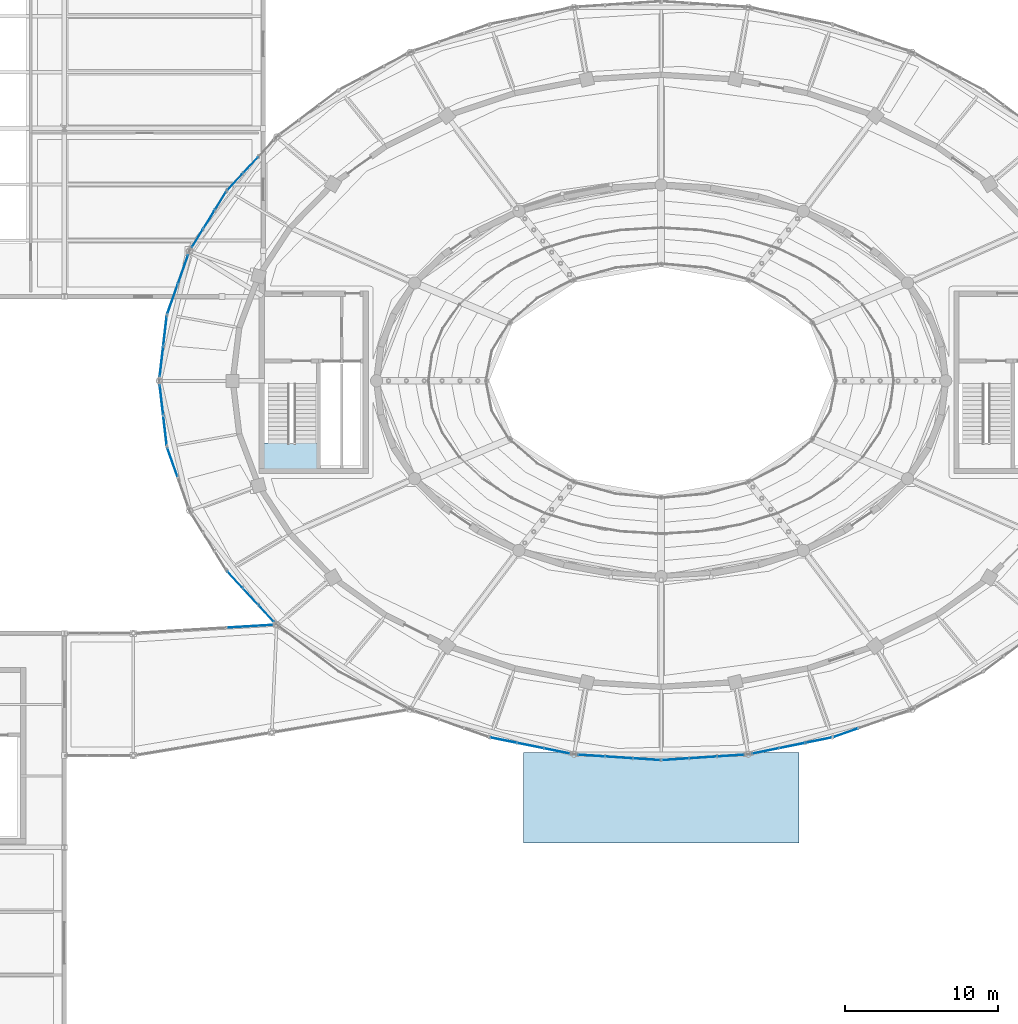
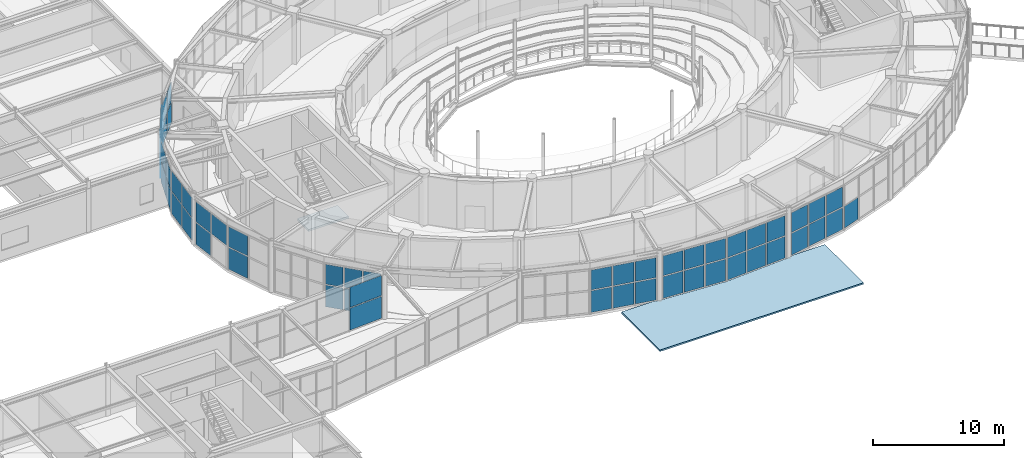
# One storey, part 69 of 100: 56 plates, 2 slabs, 14 elements without a shape of their own.
"""IFC4 building model written with IfcOpenShell, lengths in metres."""

from ifc_helpers import new_model, si_unit, direction, frame, origin, origin_2d, place, context, subcontext, project, spatial, polyline, rectangle, outline, extrude, material, layer, layer_set, type_object, element, aggregate, save


model = new_model("IFC4")

# Units and contexts
model_context = context("Model", 3, precision=1e-05, world=origin(), true_north=direction((0.0, 1.0)))
body_context = subcontext(model_context, "Body", "Model", "MODEL_VIEW")
ifc_project = project(units=[si_unit("LENGTHUNIT", "METRE"), si_unit("AREAUNIT", "SQUARE_METRE"), si_unit("VOLUMEUNIT", "CUBIC_METRE"), si_unit("PLANEANGLEUNIT", "RADIAN"), si_unit("MASSUNIT", "GRAM", prefix="KILO")], contexts=[model_context])

# Site, building, storey
site_placement = place(None, origin())
site = spatial("IfcSite", under=ifc_project, at=site_placement, CompositionType="ELEMENT")
building_placement = place(site_placement, origin())
building = spatial("IfcBuilding", under=site, at=building_placement, Name="Tarnveldt Headland Concert Hall", CompositionType="ELEMENT")
storey_placement = place(building_placement, frame((0.0, 0.0, 4.800048828125)))
storey = spatial("IfcBuildingStorey", under=building, at=storey_placement, Name="L01", CompositionType="ELEMENT", Elevation=4.800048828125)

# Curtain wall, plates
ifc_material_1 = material(Name="Marine-anodised aluminium EN AW-6063-T6", Category="aluminium")
curtain_wall_type_1 = type_object("IfcCurtainWallType", Name="CW-F2", PredefinedType="NOTDEFINED", material=ifc_material_1)
curtain_wall_1_placement = place(storey_placement, origin())
curtain_wall_1 = element("IfcCurtainWall", 1, at=curtain_wall_1_placement, inside=storey, type_object=curtain_wall_type_1, Name="Curtain wall CW-L01-041", PredefinedType="NOTDEFINED")
ifc_material_2 = material(Name="Acoustic laminated low-iron double glazing", Category="glass")
ifc_layer_1 = layer(ifc_material_2, 0.030029296875, Name="Acoustic laminated low-iron double glazing", Category="glass")
ifc_layer_set_1 = layer_set([ifc_layer_1], Name="Acoustic laminated low-iron double glazing")
plate_type_1 = type_object("IfcPlateType", Name="PN-F2", PredefinedType="CURTAIN_PANEL", material=ifc_layer_set_1)
plate_1_placement = place(storey_placement, frame((56.6650390625, 68.595947265625, 0.09228515625), z_axis=(0.0, 0.0, 1.0), x_axis=(-0.67945411016, -0.733718005903, 0.0)))
plate_1 = element("IfcPlate", 2, at=plate_1_placement, type_object=plate_type_1, Name="Glazed panel CW-L01-041-2-1", PredefinedType="CURTAIN_PANEL", context=body_context, shape_type="SweptSolid", body=[
    extrude(rectangle(XDim=1.3955078125, YDim=0.030029296875, at=origin_2d()), origin(), (0.0, 0.0, 1.0), 1.985595703125),
])
plate_2_placement = place(storey_placement, frame((56.6650390625, 68.595947265625, 2.1630859375), z_axis=(0.0, 0.0, 1.0), x_axis=(-0.67945411016, -0.733718005903, 0.0)))
plate_2 = element("IfcPlate", 3, at=plate_2_placement, type_object=plate_type_1, Name="Glazed panel CW-L01-041-2-2", PredefinedType="CURTAIN_PANEL", context=body_context, shape_type="SweptSolid", body=[
    extrude(rectangle(XDim=1.3955078125, YDim=0.030029296875, at=origin_2d()), origin(), (0.0, 0.0, 1.0), 1.822509765625),
])
plate_3_placement = place(storey_placement, frame((55.635986328125, 67.48486328125, 0.09228515625), z_axis=(0.0, 0.0, 1.0), x_axis=(-0.67945411016, -0.733718005903, 0.0)))
plate_3 = element("IfcPlate", 4, at=plate_3_placement, type_object=plate_type_1, Name="Glazed panel CW-L01-041-3-1", PredefinedType="CURTAIN_PANEL", context=body_context, shape_type="SweptSolid", body=[
    extrude(rectangle(XDim=1.3955078125, YDim=0.030029296875, at=origin_2d()), origin(), (0.0, 0.0, 1.0), 1.985595703125),
])
plate_4_placement = place(storey_placement, frame((55.635986328125, 67.48486328125, 2.1630859375), z_axis=(0.0, 0.0, 1.0), x_axis=(-0.67945411016, -0.733718005903, 0.0)))
plate_4 = element("IfcPlate", 5, at=plate_4_placement, type_object=plate_type_1, Name="Glazed panel CW-L01-041-3-2", PredefinedType="CURTAIN_PANEL", context=body_context, shape_type="SweptSolid", body=[
    extrude(rectangle(XDim=1.3955078125, YDim=0.030029296875, at=origin_2d()), origin(), (0.0, 0.0, 1.0), 1.822509765625),
])
aggregate(curtain_wall_1, [plate_1, plate_2, plate_3, plate_4])

curtain_wall_2_placement = place(storey_placement, origin())
curtain_wall_2 = element("IfcCurtainWall", 6, at=curtain_wall_2_placement, inside=storey, type_object=curtain_wall_type_1, Name="Curtain wall CW-L01-042", PredefinedType="NOTDEFINED")
plate_5_placement = place(storey_placement, frame((54.695556640625, 66.253173828125, 0.092529296875), z_axis=(0.0, 0.0, 1.0), x_axis=(-0.524922111703, -0.851150266783, 0.0)))
plate_5 = element("IfcPlate", 7, at=plate_5_placement, type_object=plate_type_1, Name="Glazed panel CW-L01-042-1-1", PredefinedType="CURTAIN_PANEL", context=body_context, shape_type="SweptSolid", body=[
    extrude(rectangle(XDim=1.321044921875, YDim=0.030029296875, at=origin_2d()), origin(), (0.0, 0.0, 1.0), 1.93359375),
])
plate_6_placement = place(storey_placement, frame((54.695556640625, 66.253173828125, 2.111083984375), z_axis=(0.0, 0.0, 1.0), x_axis=(-0.524922111703, -0.851150266783, 0.0)))
plate_6 = element("IfcPlate", 8, at=plate_6_placement, type_object=plate_type_1, Name="Glazed panel CW-L01-042-1-2", PredefinedType="CURTAIN_PANEL", context=body_context, shape_type="SweptSolid", body=[
    extrude(rectangle(XDim=1.321044921875, YDim=0.030029296875, at=origin_2d()), origin(), (0.0, 0.0, 1.0), 1.7744140625),
])
plate_7_placement = place(storey_placement, frame((53.939697265625, 65.027587890625, 0.092529296875), z_axis=(0.0, 0.0, 1.0), x_axis=(-0.524922111703, -0.851150266783, 0.0)))
plate_7 = element("IfcPlate", 9, at=plate_7_placement, type_object=plate_type_1, Name="Glazed panel CW-L01-042-2-1", PredefinedType="CURTAIN_PANEL", context=body_context, shape_type="SweptSolid", body=[
    extrude(rectangle(XDim=1.321044921875, YDim=0.030029296875, at=origin_2d()), origin(), (0.0, 0.0, 1.0), 1.93359375),
])
plate_8_placement = place(storey_placement, frame((53.939697265625, 65.027587890625, 2.111083984375), z_axis=(0.0, 0.0, 1.0), x_axis=(-0.524922111703, -0.851150266783, 0.0)))
plate_8 = element("IfcPlate", 10, at=plate_8_placement, type_object=plate_type_1, Name="Glazed panel CW-L01-042-2-2", PredefinedType="CURTAIN_PANEL", context=body_context, shape_type="SweptSolid", body=[
    extrude(rectangle(XDim=1.321044921875, YDim=0.030029296875, at=origin_2d()), origin(), (0.0, 0.0, 1.0), 1.7744140625),
])
plate_9_placement = place(storey_placement, frame((53.18359375, 63.802001953125, 0.092529296875), z_axis=(0.0, 0.0, 1.0), x_axis=(-0.524922111703, -0.851150266783, 0.0)))
plate_9 = element("IfcPlate", 11, at=plate_9_placement, type_object=plate_type_1, Name="Glazed panel CW-L01-042-3-1", PredefinedType="CURTAIN_PANEL", context=body_context, shape_type="SweptSolid", body=[
    extrude(rectangle(XDim=1.321044921875, YDim=0.030029296875, at=origin_2d()), origin(), (0.0, 0.0, 1.0), 1.93359375),
])
plate_10_placement = place(storey_placement, frame((53.18359375, 63.802001953125, 2.111083984375), z_axis=(0.0, 0.0, 1.0), x_axis=(-0.524922111703, -0.851150266783, 0.0)))
plate_10 = element("IfcPlate", 12, at=plate_10_placement, type_object=plate_type_1, Name="Glazed panel CW-L01-042-3-2", PredefinedType="CURTAIN_PANEL", context=body_context, shape_type="SweptSolid", body=[
    extrude(rectangle(XDim=1.321044921875, YDim=0.030029296875, at=origin_2d()), origin(), (0.0, 0.0, 1.0), 1.7744140625),
])
aggregate(curtain_wall_2, [plate_5, plate_6, plate_7, plate_8, plate_9, plate_10])

curtain_wall_3_placement = place(storey_placement, origin())
curtain_wall_3 = element("IfcCurtainWall", 13, at=curtain_wall_3_placement, inside=storey, type_object=curtain_wall_type_1, Name="Curtain wall CW-L01-043", PredefinedType="NOTDEFINED")
plate_11_placement = place(storey_placement, frame((52.25048828125, 61.775634765625, 0.092529296875), z_axis=(0.0, 0.0, 1.0), x_axis=(-0.334037180034, -0.94255989855, 0.0)))
plate_11 = element("IfcPlate", 14, at=plate_11_placement, type_object=plate_type_1, Name="Glazed panel CW-L01-043-1-1", PredefinedType="CURTAIN_PANEL", context=body_context, shape_type="SweptSolid", body=[
    extrude(rectangle(XDim=1.954345703125, YDim=0.030029296875, at=origin_2d()), origin(), (0.0, 0.0, 1.0), 1.93359375),
])
plate_12_placement = place(storey_placement, frame((52.25048828125, 61.775634765625, 2.111083984375), z_axis=(0.0, 0.0, 1.0), x_axis=(-0.334037180034, -0.94255989855, 0.0)))
plate_12 = element("IfcPlate", 15, at=plate_12_placement, type_object=plate_type_1, Name="Glazed panel CW-L01-043-1-2", PredefinedType="CURTAIN_PANEL", context=body_context, shape_type="SweptSolid", body=[
    extrude(rectangle(XDim=1.954345703125, YDim=0.030029296875, at=origin_2d()), origin(), (0.0, 0.0, 1.0), 1.7744140625),
])
plate_13_placement = place(storey_placement, frame((51.55810546875, 59.8212890625, 0.092529296875), z_axis=(0.0, 0.0, 1.0), x_axis=(-0.334037180034, -0.94255989855, 0.0)))
plate_13 = element("IfcPlate", 16, at=plate_13_placement, type_object=plate_type_1, Name="Glazed panel CW-L01-043-2-1", PredefinedType="CURTAIN_PANEL", context=body_context, shape_type="SweptSolid", body=[
    extrude(rectangle(XDim=1.954345703125, YDim=0.030029296875, at=origin_2d()), origin(), (0.0, 0.0, 1.0), 1.93359375),
])
plate_14_placement = place(storey_placement, frame((51.55810546875, 59.8212890625, 2.111083984375), z_axis=(0.0, 0.0, 1.0), x_axis=(-0.334037180034, -0.94255989855, 0.0)))
plate_14 = element("IfcPlate", 17, at=plate_14_placement, type_object=plate_type_1, Name="Glazed panel CW-L01-043-2-2", PredefinedType="CURTAIN_PANEL", context=body_context, shape_type="SweptSolid", body=[
    extrude(rectangle(XDim=1.954345703125, YDim=0.030029296875, at=origin_2d()), origin(), (0.0, 0.0, 1.0), 1.7744140625),
])
aggregate(curtain_wall_3, [plate_11, plate_12, plate_13, plate_14])

curtain_wall_4_placement = place(storey_placement, origin())
curtain_wall_4 = element("IfcCurtainWall", 18, at=curtain_wall_4_placement, inside=storey, type_object=curtain_wall_type_1, Name="Curtain wall CW-L01-044", PredefinedType="NOTDEFINED")
plate_15_placement = place(storey_placement, frame((51.077392578125, 57.760498046875, 0.09228515625), z_axis=(0.0, 0.0, 1.0), x_axis=(-0.114937150493, -0.9933727656, 0.0)))
plate_15 = element("IfcPlate", 19, at=plate_15_placement, type_object=plate_type_1, Name="Glazed panel CW-L01-044-1-1", PredefinedType="CURTAIN_PANEL", context=body_context, shape_type="SweptSolid", body=[
    extrude(rectangle(XDim=1.906982421875, YDim=0.030029296875, at=origin_2d()), origin(), (0.0, 0.0, 1.0), 2.0283203125),
])
plate_16_placement = place(storey_placement, frame((51.077392578125, 57.760498046875, 2.20556640625), z_axis=(0.0, 0.0, 1.0), x_axis=(-0.114937150493, -0.9933727656, 0.0)))
plate_16 = element("IfcPlate", 20, at=plate_16_placement, type_object=plate_type_1, Name="Glazed panel CW-L01-044-1-2", PredefinedType="CURTAIN_PANEL", context=body_context, shape_type="SweptSolid", body=[
    extrude(rectangle(XDim=1.906982421875, YDim=0.030029296875, at=origin_2d()), origin(), (0.0, 0.0, 1.0), 1.86181640625),
])
plate_17_placement = place(storey_placement, frame((50.844482421875, 55.747802734375, 0.09228515625), z_axis=(0.0, 0.0, 1.0), x_axis=(-0.114937150493, -0.9933727656, 0.0)))
plate_17 = element("IfcPlate", 21, at=plate_17_placement, type_object=plate_type_1, Name="Glazed panel CW-L01-044-2-1", PredefinedType="CURTAIN_PANEL", context=body_context, shape_type="SweptSolid", body=[
    extrude(rectangle(XDim=1.906982421875, YDim=0.030029296875, at=origin_2d()), origin(), (0.0, 0.0, 1.0), 2.0283203125),
])
plate_18_placement = place(storey_placement, frame((50.844482421875, 55.747802734375, 2.20556640625), z_axis=(0.0, 0.0, 1.0), x_axis=(-0.114937150493, -0.9933727656, 0.0)))
plate_18 = element("IfcPlate", 22, at=plate_18_placement, type_object=plate_type_1, Name="Glazed panel CW-L01-044-2-2", PredefinedType="CURTAIN_PANEL", context=body_context, shape_type="SweptSolid", body=[
    extrude(rectangle(XDim=1.906982421875, YDim=0.030029296875, at=origin_2d()), origin(), (0.0, 0.0, 1.0), 1.86181640625),
])
aggregate(curtain_wall_4, [plate_15, plate_16, plate_17, plate_18])

curtain_wall_5_placement = place(storey_placement, origin())
curtain_wall_5 = element("IfcCurtainWall", 23, at=curtain_wall_5_placement, inside=storey, type_object=curtain_wall_type_1, Name="Curtain wall CW-L01-045", PredefinedType="NOTDEFINED")
plate_19_placement = place(storey_placement, frame((50.844482421875, 53.252197265625, 0.09228515625), z_axis=(0.0, 0.0, 1.0), x_axis=(0.114937150493, -0.9933727656, 0.0)))
plate_19 = element("IfcPlate", 24, at=plate_19_placement, type_object=plate_type_1, Name="Glazed panel CW-L01-045-1-1", PredefinedType="CURTAIN_PANEL", context=body_context, shape_type="SweptSolid", body=[
    extrude(rectangle(XDim=1.906982421875, YDim=0.030029296875, at=origin_2d()), origin(), (0.0, 0.0, 1.0), 2.0283203125),
])
plate_20_placement = place(storey_placement, frame((50.844482421875, 53.252197265625, 2.20556640625), z_axis=(0.0, 0.0, 1.0), x_axis=(0.114937150493, -0.9933727656, 0.0)))
plate_20 = element("IfcPlate", 25, at=plate_20_placement, type_object=plate_type_1, Name="Glazed panel CW-L01-045-1-2", PredefinedType="CURTAIN_PANEL", context=body_context, shape_type="SweptSolid", body=[
    extrude(rectangle(XDim=1.906982421875, YDim=0.030029296875, at=origin_2d()), origin(), (0.0, 0.0, 1.0), 1.86181640625),
])
plate_21_placement = place(storey_placement, frame((51.077392578125, 51.239501953125, 2.20556640625), z_axis=(0.0, 0.0, 1.0), x_axis=(0.114937150493, -0.9933727656, 0.0)))
plate_21 = element("IfcPlate", 26, at=plate_21_placement, type_object=plate_type_1, Name="Glazed panel CW-L01-045-2-2", PredefinedType="CURTAIN_PANEL", context=body_context, shape_type="SweptSolid", body=[
    extrude(rectangle(XDim=1.906982421875, YDim=0.030029296875, at=origin_2d()), origin(), (0.0, 0.0, 1.0), 1.86181640625),
])
aggregate(curtain_wall_5, [plate_19, plate_20, plate_21])

curtain_wall_6_placement = place(storey_placement, origin())
curtain_wall_6 = element("IfcCurtainWall", 27, at=curtain_wall_6_placement, inside=storey, type_object=curtain_wall_type_1, Name="Curtain wall CW-L01-046", PredefinedType="NOTDEFINED")
plate_22_placement = place(storey_placement, frame((51.55810546875, 49.1787109375, 0.09228515625), z_axis=(0.0, 0.0, 1.0), x_axis=(0.334037180034, -0.94255989855, 0.0)))
plate_22 = element("IfcPlate", 28, at=plate_22_placement, type_object=plate_type_1, Name="Glazed panel CW-L01-046-1-1", PredefinedType="CURTAIN_PANEL", context=body_context, shape_type="SweptSolid", body=[
    extrude(rectangle(XDim=1.954345703125, YDim=0.030029296875, at=origin_2d()), origin(), (0.0, 0.0, 1.0), 2.0283203125),
])
plate_23_placement = place(storey_placement, frame((51.55810546875, 49.1787109375, 2.20556640625), z_axis=(0.0, 0.0, 1.0), x_axis=(0.334037180034, -0.94255989855, 0.0)))
plate_23 = element("IfcPlate", 29, at=plate_23_placement, type_object=plate_type_1, Name="Glazed panel CW-L01-046-1-2", PredefinedType="CURTAIN_PANEL", context=body_context, shape_type="SweptSolid", body=[
    extrude(rectangle(XDim=1.954345703125, YDim=0.030029296875, at=origin_2d()), origin(), (0.0, 0.0, 1.0), 1.86181640625),
])
aggregate(curtain_wall_6, [plate_22, plate_23])

curtain_wall_7_placement = place(storey_placement, origin())
curtain_wall_7 = element("IfcCurtainWall", 30, at=curtain_wall_7_placement, inside=storey, type_object=curtain_wall_type_1, Name="Curtain wall CW-L01-048", PredefinedType="NOTDEFINED")
plate_24_placement = place(storey_placement, frame((55.635986328125, 41.51513671875, 0.09228515625), z_axis=(0.0, 0.0, 1.0), x_axis=(0.67945411016, -0.733718005903, 0.0)))
plate_24 = element("IfcPlate", 31, at=plate_24_placement, type_object=plate_type_1, Name="Glazed panel CW-L01-048-1-1", PredefinedType="CURTAIN_PANEL", context=body_context, shape_type="SweptSolid", body=[
    extrude(rectangle(XDim=1.3955078125, YDim=0.030029296875, at=origin_2d()), origin(), (0.0, 0.0, 1.0), 2.0283203125),
])
plate_25_placement = place(storey_placement, frame((55.635986328125, 41.51513671875, 2.20556640625), z_axis=(0.0, 0.0, 1.0), x_axis=(0.67945411016, -0.733718005903, 0.0)))
plate_25 = element("IfcPlate", 32, at=plate_25_placement, type_object=plate_type_1, Name="Glazed panel CW-L01-048-1-2", PredefinedType="CURTAIN_PANEL", context=body_context, shape_type="SweptSolid", body=[
    extrude(rectangle(XDim=1.3955078125, YDim=0.030029296875, at=origin_2d()), origin(), (0.0, 0.0, 1.0), 1.86181640625),
])
plate_26_placement = place(storey_placement, frame((56.6650390625, 40.404052734375, 0.09228515625), z_axis=(0.0, 0.0, 1.0), x_axis=(0.67945411016, -0.733718005903, 0.0)))
plate_26 = element("IfcPlate", 33, at=plate_26_placement, type_object=plate_type_1, Name="Glazed panel CW-L01-048-2-1", PredefinedType="CURTAIN_PANEL", context=body_context, shape_type="SweptSolid", body=[
    extrude(rectangle(XDim=1.3955078125, YDim=0.030029296875, at=origin_2d()), origin(), (0.0, 0.0, 1.0), 2.0283203125),
])
plate_27_placement = place(storey_placement, frame((56.6650390625, 40.404052734375, 2.20556640625), z_axis=(0.0, 0.0, 1.0), x_axis=(0.67945411016, -0.733718005903, 0.0)))
plate_27 = element("IfcPlate", 34, at=plate_27_placement, type_object=plate_type_1, Name="Glazed panel CW-L01-048-2-2", PredefinedType="CURTAIN_PANEL", context=body_context, shape_type="SweptSolid", body=[
    extrude(rectangle(XDim=1.3955078125, YDim=0.030029296875, at=origin_2d()), origin(), (0.0, 0.0, 1.0), 1.86181640625),
])
plate_28_placement = place(storey_placement, frame((57.694091796875, 39.29296875, 0.09228515625), z_axis=(0.0, 0.0, 1.0), x_axis=(0.67945411016, -0.733718005903, 0.0)))
plate_28 = element("IfcPlate", 35, at=plate_28_placement, type_object=plate_type_1, Name="Glazed panel CW-L01-048-3-1", PredefinedType="CURTAIN_PANEL", context=body_context, shape_type="SweptSolid", body=[
    extrude(rectangle(XDim=1.3955078125, YDim=0.030029296875, at=origin_2d()), origin(), (0.0, 0.0, 1.0), 2.0283203125),
])
plate_29_placement = place(storey_placement, frame((57.694091796875, 39.29296875, 2.20556640625), z_axis=(0.0, 0.0, 1.0), x_axis=(0.67945411016, -0.733718005903, 0.0)))
plate_29 = element("IfcPlate", 36, at=plate_29_placement, type_object=plate_type_1, Name="Glazed panel CW-L01-048-3-2", PredefinedType="CURTAIN_PANEL", context=body_context, shape_type="SweptSolid", body=[
    extrude(rectangle(XDim=1.3955078125, YDim=0.030029296875, at=origin_2d()), origin(), (0.0, 0.0, 1.0), 1.86181640625),
])
aggregate(curtain_wall_7, [plate_24, plate_25, plate_26, plate_27, plate_28, plate_29])

curtain_wall_8_placement = place(storey_placement, origin())
curtain_wall_8 = element("IfcCurtainWall", 37, at=curtain_wall_8_placement, inside=storey, type_object=curtain_wall_type_1, Name="Curtain wall CW-L01-050", PredefinedType="NOTDEFINED")
plate_30_placement = place(storey_placement, frame((73.195068359375, 31.010498046875, 0.09228515625), z_axis=(0.0, 0.0, 1.0), x_axis=(0.98008791737, -0.198564030542, 0.0)))
plate_30 = element("IfcPlate", 38, at=plate_30_placement, type_object=plate_type_1, Name="Glazed panel CW-L01-050-1-1", PredefinedType="CURTAIN_PANEL", context=body_context, shape_type="SweptSolid", body=[
    extrude(rectangle(XDim=1.664794921875, YDim=0.030029296875, at=origin_2d()), origin(), (0.0, 0.0, 1.0), 2.0283203125),
])
plate_31_placement = place(storey_placement, frame((73.195068359375, 31.010498046875, 2.20556640625), z_axis=(0.0, 0.0, 1.0), x_axis=(0.98008791737, -0.198564030542, 0.0)))
plate_31 = element("IfcPlate", 39, at=plate_31_placement, type_object=plate_type_1, Name="Glazed panel CW-L01-050-1-2", PredefinedType="CURTAIN_PANEL", context=body_context, shape_type="SweptSolid", body=[
    extrude(rectangle(XDim=1.664794921875, YDim=0.030029296875, at=origin_2d()), origin(), (0.0, 0.0, 1.0), 1.86181640625),
])
plate_32_placement = place(storey_placement, frame((74.943359375, 30.656494140625, 0.09228515625), z_axis=(0.0, 0.0, 1.0), x_axis=(0.98008791737, -0.198564030542, 0.0)))
plate_32 = element("IfcPlate", 40, at=plate_32_placement, type_object=plate_type_1, Name="Glazed panel CW-L01-050-2-1", PredefinedType="CURTAIN_PANEL", context=body_context, shape_type="SweptSolid", body=[
    extrude(rectangle(XDim=1.664794921875, YDim=0.030029296875, at=origin_2d()), origin(), (0.0, 0.0, 1.0), 2.0283203125),
])
plate_33_placement = place(storey_placement, frame((74.943359375, 30.656494140625, 2.20556640625), z_axis=(0.0, 0.0, 1.0), x_axis=(0.98008791737, -0.198564030542, 0.0)))
plate_33 = element("IfcPlate", 41, at=plate_33_placement, type_object=plate_type_1, Name="Glazed panel CW-L01-050-2-2", PredefinedType="CURTAIN_PANEL", context=body_context, shape_type="SweptSolid", body=[
    extrude(rectangle(XDim=1.664794921875, YDim=0.030029296875, at=origin_2d()), origin(), (0.0, 0.0, 1.0), 1.86181640625),
])
plate_34_placement = place(storey_placement, frame((76.691650390625, 30.30224609375, 0.09228515625), z_axis=(0.0, 0.0, 1.0), x_axis=(0.98008791737, -0.198564030542, 0.0)))
plate_34 = element("IfcPlate", 42, at=plate_34_placement, type_object=plate_type_1, Name="Glazed panel CW-L01-050-3-1", PredefinedType="CURTAIN_PANEL", context=body_context, shape_type="SweptSolid", body=[
    extrude(rectangle(XDim=1.664794921875, YDim=0.030029296875, at=origin_2d()), origin(), (0.0, 0.0, 1.0), 2.0283203125),
])
plate_35_placement = place(storey_placement, frame((76.691650390625, 30.30224609375, 2.20556640625), z_axis=(0.0, 0.0, 1.0), x_axis=(0.98008791737, -0.198564030542, 0.0)))
plate_35 = element("IfcPlate", 43, at=plate_35_placement, type_object=plate_type_1, Name="Glazed panel CW-L01-050-3-2", PredefinedType="CURTAIN_PANEL", context=body_context, shape_type="SweptSolid", body=[
    extrude(rectangle(XDim=1.664794921875, YDim=0.030029296875, at=origin_2d()), origin(), (0.0, 0.0, 1.0), 1.86181640625),
])
aggregate(curtain_wall_8, [plate_30, plate_31, plate_32, plate_33, plate_34, plate_35])

curtain_wall_9_placement = place(storey_placement, origin())
curtain_wall_9 = element("IfcCurtainWall", 44, at=curtain_wall_9_placement, inside=storey, type_object=curtain_wall_type_1, Name="Curtain wall CW-L01-051", PredefinedType="NOTDEFINED")
plate_36_placement = place(storey_placement, frame((78.94921875, 30.0009765625, 0.09228515625), z_axis=(0.0, 0.0, 1.0), x_axis=(0.997818784564, -0.066012674318, 0.0)))
plate_36 = element("IfcPlate", 45, at=plate_36_placement, type_object=plate_type_1, Name="Glazed panel CW-L01-051-1-1", PredefinedType="CURTAIN_PANEL", context=body_context, shape_type="SweptSolid", body=[
    extrude(rectangle(XDim=1.689208984375, YDim=0.030029296875, at=origin_2d()), origin(), (0.0, 0.0, 1.0), 2.0283203125),
])
plate_37_placement = place(storey_placement, frame((78.94921875, 30.0009765625, 2.20556640625), z_axis=(0.0, 0.0, 1.0), x_axis=(0.997818784564, -0.066012674318, 0.0)))
plate_37 = element("IfcPlate", 46, at=plate_37_placement, type_object=plate_type_1, Name="Glazed panel CW-L01-051-1-2", PredefinedType="CURTAIN_PANEL", context=body_context, shape_type="SweptSolid", body=[
    extrude(rectangle(XDim=1.689208984375, YDim=0.030029296875, at=origin_2d()), origin(), (0.0, 0.0, 1.0), 1.86181640625),
])
plate_38_placement = place(storey_placement, frame((80.75341796875, 29.881591796875, 0.09228515625), z_axis=(0.0, 0.0, 1.0), x_axis=(0.997818784564, -0.066012674318, 0.0)))
plate_38 = element("IfcPlate", 47, at=plate_38_placement, type_object=plate_type_1, Name="Glazed panel CW-L01-051-2-1", PredefinedType="CURTAIN_PANEL", context=body_context, shape_type="SweptSolid", body=[
    extrude(rectangle(XDim=1.689208984375, YDim=0.030029296875, at=origin_2d()), origin(), (0.0, 0.0, 1.0), 2.0283203125),
])
plate_39_placement = place(storey_placement, frame((80.75341796875, 29.881591796875, 2.20556640625), z_axis=(0.0, 0.0, 1.0), x_axis=(0.997818784564, -0.066012674318, 0.0)))
plate_39 = element("IfcPlate", 48, at=plate_39_placement, type_object=plate_type_1, Name="Glazed panel CW-L01-051-2-2", PredefinedType="CURTAIN_PANEL", context=body_context, shape_type="SweptSolid", body=[
    extrude(rectangle(XDim=1.689208984375, YDim=0.030029296875, at=origin_2d()), origin(), (0.0, 0.0, 1.0), 1.86181640625),
])
plate_40_placement = place(storey_placement, frame((82.557861328125, 29.76220703125, 0.09228515625), z_axis=(0.0, 0.0, 1.0), x_axis=(0.997818784564, -0.066012674318, 0.0)))
plate_40 = element("IfcPlate", 49, at=plate_40_placement, type_object=plate_type_1, Name="Glazed panel CW-L01-051-3-1", PredefinedType="CURTAIN_PANEL", context=body_context, shape_type="SweptSolid", body=[
    extrude(rectangle(XDim=1.689208984375, YDim=0.030029296875, at=origin_2d()), origin(), (0.0, 0.0, 1.0), 2.0283203125),
])
plate_41_placement = place(storey_placement, frame((82.557861328125, 29.76220703125, 2.20556640625), z_axis=(0.0, 0.0, 1.0), x_axis=(0.997818784564, -0.066012674318, 0.0)))
plate_41 = element("IfcPlate", 50, at=plate_41_placement, type_object=plate_type_1, Name="Glazed panel CW-L01-051-3-2", PredefinedType="CURTAIN_PANEL", context=body_context, shape_type="SweptSolid", body=[
    extrude(rectangle(XDim=1.689208984375, YDim=0.030029296875, at=origin_2d()), origin(), (0.0, 0.0, 1.0), 1.86181640625),
])
aggregate(curtain_wall_9, [plate_36, plate_37, plate_38, plate_39, plate_40, plate_41])

curtain_wall_10_placement = place(storey_placement, origin())
curtain_wall_10 = element("IfcCurtainWall", 51, at=curtain_wall_10_placement, inside=storey, type_object=curtain_wall_type_1, Name="Curtain wall CW-L01-052", PredefinedType="NOTDEFINED")
plate_42_placement = place(storey_placement, frame((84.442138671875, 29.76220703125, 0.09228515625), z_axis=(0.0, 0.0, 1.0), x_axis=(0.997818784564, 0.066012674318, 0.0)))
plate_42 = element("IfcPlate", 52, at=plate_42_placement, type_object=plate_type_1, Name="Glazed panel CW-L01-052-1-1", PredefinedType="CURTAIN_PANEL", context=body_context, shape_type="SweptSolid", body=[
    extrude(rectangle(XDim=1.689208984375, YDim=0.030029296875, at=origin_2d()), origin(), (0.0, 0.0, 1.0), 2.0283203125),
])
plate_43_placement = place(storey_placement, frame((84.442138671875, 29.76220703125, 2.20556640625), z_axis=(0.0, 0.0, 1.0), x_axis=(0.997818784564, 0.066012674318, 0.0)))
plate_43 = element("IfcPlate", 53, at=plate_43_placement, type_object=plate_type_1, Name="Glazed panel CW-L01-052-1-2", PredefinedType="CURTAIN_PANEL", context=body_context, shape_type="SweptSolid", body=[
    extrude(rectangle(XDim=1.689208984375, YDim=0.030029296875, at=origin_2d()), origin(), (0.0, 0.0, 1.0), 1.86181640625),
])
plate_44_placement = place(storey_placement, frame((86.24658203125, 29.881591796875, 0.09228515625), z_axis=(0.0, 0.0, 1.0), x_axis=(0.997818784564, 0.066012674318, 0.0)))
plate_44 = element("IfcPlate", 54, at=plate_44_placement, type_object=plate_type_1, Name="Glazed panel CW-L01-052-2-1", PredefinedType="CURTAIN_PANEL", context=body_context, shape_type="SweptSolid", body=[
    extrude(rectangle(XDim=1.689208984375, YDim=0.030029296875, at=origin_2d()), origin(), (0.0, 0.0, 1.0), 2.0283203125),
])
plate_45_placement = place(storey_placement, frame((86.24658203125, 29.881591796875, 2.20556640625), z_axis=(0.0, 0.0, 1.0), x_axis=(0.997818784564, 0.066012674318, 0.0)))
plate_45 = element("IfcPlate", 55, at=plate_45_placement, type_object=plate_type_1, Name="Glazed panel CW-L01-052-2-2", PredefinedType="CURTAIN_PANEL", context=body_context, shape_type="SweptSolid", body=[
    extrude(rectangle(XDim=1.689208984375, YDim=0.030029296875, at=origin_2d()), origin(), (0.0, 0.0, 1.0), 1.86181640625),
])
plate_46_placement = place(storey_placement, frame((88.05078125, 30.0009765625, 0.09228515625), z_axis=(0.0, 0.0, 1.0), x_axis=(0.997818784564, 0.066012674318, 0.0)))
plate_46 = element("IfcPlate", 56, at=plate_46_placement, type_object=plate_type_1, Name="Glazed panel CW-L01-052-3-1", PredefinedType="CURTAIN_PANEL", context=body_context, shape_type="SweptSolid", body=[
    extrude(rectangle(XDim=1.689208984375, YDim=0.030029296875, at=origin_2d()), origin(), (0.0, 0.0, 1.0), 2.0283203125),
])
plate_47_placement = place(storey_placement, frame((88.05078125, 30.0009765625, 2.20556640625), z_axis=(0.0, 0.0, 1.0), x_axis=(0.997818784564, 0.066012674318, 0.0)))
plate_47 = element("IfcPlate", 57, at=plate_47_placement, type_object=plate_type_1, Name="Glazed panel CW-L01-052-3-2", PredefinedType="CURTAIN_PANEL", context=body_context, shape_type="SweptSolid", body=[
    extrude(rectangle(XDim=1.689208984375, YDim=0.030029296875, at=origin_2d()), origin(), (0.0, 0.0, 1.0), 1.86181640625),
])
aggregate(curtain_wall_10, [plate_42, plate_43, plate_44, plate_45, plate_46, plate_47])

curtain_wall_11_placement = place(storey_placement, origin())
curtain_wall_11 = element("IfcCurtainWall", 58, at=curtain_wall_11_placement, inside=storey, type_object=curtain_wall_type_1, Name="Curtain wall CW-L01-053", PredefinedType="NOTDEFINED")
plate_48_placement = place(storey_placement, frame((90.308349609375, 30.30224609375, 0.09228515625), z_axis=(0.0, 0.0, 1.0), x_axis=(0.98008791737, 0.198564030542, 0.0)))
plate_48 = element("IfcPlate", 59, at=plate_48_placement, type_object=plate_type_1, Name="Glazed panel CW-L01-053-1-1", PredefinedType="CURTAIN_PANEL", context=body_context, shape_type="SweptSolid", body=[
    extrude(rectangle(XDim=1.664794921875, YDim=0.030029296875, at=origin_2d()), origin(), (0.0, 0.0, 1.0), 2.0283203125),
])
plate_49_placement = place(storey_placement, frame((90.308349609375, 30.30224609375, 2.20556640625), z_axis=(0.0, 0.0, 1.0), x_axis=(0.98008791737, 0.198564030542, 0.0)))
plate_49 = element("IfcPlate", 60, at=plate_49_placement, type_object=plate_type_1, Name="Glazed panel CW-L01-053-1-2", PredefinedType="CURTAIN_PANEL", context=body_context, shape_type="SweptSolid", body=[
    extrude(rectangle(XDim=1.664794921875, YDim=0.030029296875, at=origin_2d()), origin(), (0.0, 0.0, 1.0), 1.86181640625),
])
plate_50_placement = place(storey_placement, frame((92.056640625, 30.656494140625, 0.09228515625), z_axis=(0.0, 0.0, 1.0), x_axis=(0.98008791737, 0.198564030542, 0.0)))
plate_50 = element("IfcPlate", 61, at=plate_50_placement, type_object=plate_type_1, Name="Glazed panel CW-L01-053-2-1", PredefinedType="CURTAIN_PANEL", context=body_context, shape_type="SweptSolid", body=[
    extrude(rectangle(XDim=1.664794921875, YDim=0.030029296875, at=origin_2d()), origin(), (0.0, 0.0, 1.0), 2.0283203125),
])
plate_51_placement = place(storey_placement, frame((92.056640625, 30.656494140625, 2.20556640625), z_axis=(0.0, 0.0, 1.0), x_axis=(0.98008791737, 0.198564030542, 0.0)))
plate_51 = element("IfcPlate", 62, at=plate_51_placement, type_object=plate_type_1, Name="Glazed panel CW-L01-053-2-2", PredefinedType="CURTAIN_PANEL", context=body_context, shape_type="SweptSolid", body=[
    extrude(rectangle(XDim=1.664794921875, YDim=0.030029296875, at=origin_2d()), origin(), (0.0, 0.0, 1.0), 1.86181640625),
])
plate_52_placement = place(storey_placement, frame((93.804931640625, 31.010498046875, 0.09228515625), z_axis=(0.0, 0.0, 1.0), x_axis=(0.98008791737, 0.198564030542, 0.0)))
plate_52 = element("IfcPlate", 63, at=plate_52_placement, type_object=plate_type_1, Name="Glazed panel CW-L01-053-3-1", PredefinedType="CURTAIN_PANEL", context=body_context, shape_type="SweptSolid", body=[
    extrude(rectangle(XDim=1.664794921875, YDim=0.030029296875, at=origin_2d()), origin(), (0.0, 0.0, 1.0), 2.0283203125),
])
plate_53_placement = place(storey_placement, frame((93.804931640625, 31.010498046875, 2.20556640625), z_axis=(0.0, 0.0, 1.0), x_axis=(0.98008791737, 0.198564030542, 0.0)))
plate_53 = element("IfcPlate", 64, at=plate_53_placement, type_object=plate_type_1, Name="Glazed panel CW-L01-053-3-2", PredefinedType="CURTAIN_PANEL", context=body_context, shape_type="SweptSolid", body=[
    extrude(rectangle(XDim=1.664794921875, YDim=0.030029296875, at=origin_2d()), origin(), (0.0, 0.0, 1.0), 1.86181640625),
])
aggregate(curtain_wall_11, [plate_48, plate_49, plate_50, plate_51, plate_52, plate_53])

# Curtain wall, plate
curtain_wall_12_placement = place(storey_placement, origin())
curtain_wall_12 = element("IfcCurtainWall", 65, at=curtain_wall_12_placement, inside=storey, type_object=curtain_wall_type_1, Name="Curtain wall CW-L01-054", PredefinedType="NOTDEFINED")
plate_54_placement = place(storey_placement, frame((95.5751953125, 31.497802734375, 0.09228515625), z_axis=(0.0, 0.0, 1.0), x_axis=(0.9430950477, 0.33252327889, 0.0)))
plate_54 = element("IfcPlate", 66, at=plate_54_placement, type_object=plate_type_1, Name="Glazed panel CW-L01-054-1-1", PredefinedType="CURTAIN_PANEL", context=body_context, shape_type="SweptSolid", body=[
    extrude(rectangle(XDim=1.617919921875, YDim=0.030029296875, at=origin_2d()), origin(), (0.0, 0.0, 1.0), 2.0283203125),
])
aggregate(curtain_wall_12, [plate_54])

# Curtain wall, plates
curtain_wall_type_2 = type_object("IfcCurtainWallType", Name="CW-L2", PredefinedType="NOTDEFINED", material=ifc_material_1)
curtain_wall_13_placement = place(storey_placement, origin())
curtain_wall_13 = element("IfcCurtainWall", 67, at=curtain_wall_13_placement, inside=storey, type_object=curtain_wall_type_2, Name="Curtain wall CW-L01-176", PredefinedType="NOTDEFINED")
ifc_layer_2 = layer(ifc_material_2, 0.02294921875, Name="Acoustic laminated low-iron double glazing", Category="glass")
ifc_layer_set_2 = layer_set([ifc_layer_2], Name="Acoustic laminated low-iron double glazing")
plate_type_2 = type_object("IfcPlateType", Name="PN-L2", PredefinedType="CURTAIN_PANEL", material=ifc_layer_set_2)
plate_55_placement = place(storey_placement, frame((56.638427734375, 38.455322265625, 0.090087890625), z_axis=(0.0, 0.0, 1.0), x_axis=(0.998227384932, 0.059515443134, 0.0)))
plate_55 = element("IfcPlate", 68, at=plate_55_placement, type_object=plate_type_2, Name="Glazed panel CW-L01-176-3-1", PredefinedType="CURTAIN_PANEL", context=body_context, shape_type="SweptSolid", body=[
    extrude(rectangle(XDim=2.88623046875, YDim=0.02294921875, at=origin_2d()), origin(), (0.0, 0.0, 1.0), 2.05029296875),
])
plate_56_placement = place(storey_placement, frame((56.638427734375, 38.455322265625, 2.22021484375), z_axis=(0.0, 0.0, 1.0), x_axis=(0.998227384932, 0.059515443134, 0.0)))
plate_56 = element("IfcPlate", 69, at=plate_56_placement, type_object=plate_type_2, Name="Glazed panel CW-L01-176-3-2", PredefinedType="CURTAIN_PANEL", context=body_context, shape_type="SweptSolid", body=[
    extrude(rectangle(XDim=2.88623046875, YDim=0.02294921875, at=origin_2d()), origin(), (0.0, 0.0, 1.0), 1.882568359375),
])
aggregate(curtain_wall_13, [plate_55, plate_56])

# Slab
ifc_material_3 = material(Name="Concrete C40/50", Category="concrete")
ifc_layer_3 = layer(ifc_material_3, 0.14501953125, Name="Concrete C40/50", Category="concrete")
ifc_layer_set_3 = layer_set([ifc_layer_3], Name="Concrete C40/50")
slab_type_1 = type_object("IfcSlabType", Name="SL-CN145", PredefinedType="ROOF", material=ifc_layer_set_3)
slab_1_placement = place(storey_placement, frame((0.0, 0.0, -0.14501953125)))
element("IfcSlab", 70, at=slab_1_placement, inside=storey, type_object=slab_type_1, Name="South forecourt arrival canopy slab", PredefinedType="ROOF", context=body_context, shape_type="SweptSolid", body=[
    extrude(outline(polyline([(92.5, 30.199951171875), (89.8037109375, 30.199951171875), (89.19580078125, 30.076904296875), (83.5, 29.699951171875), (77.80419921875, 30.076904296875), (77.1962890625, 30.199951171875), (74.5, 30.199951171875), (74.5, 24.300048828125), (92.5, 24.300048828125), (92.5, 30.199951171875)])), origin(), (0.0, 0.0, 1.0), 0.14501953125),
])

# Stair, slab
stair_type = type_object("IfcStairType", Name="ST-CORE480", PredefinedType="HALF_TURN_STAIR", material=ifc_material_3)
stair_placement = place(storey_placement, origin())
stair = element("IfcStair", 71, at=stair_placement, inside=storey, type_object=stair_type, Name="Exit stair STR-C1-L01", PredefinedType="HALF_TURN_STAIR")
ifc_layer_4 = layer(ifc_material_3, 0.179931640625, Name="Concrete C40/50", Category="concrete")
ifc_layer_set_4 = layer_set([ifc_layer_4], Name="Concrete C40/50")
slab_type_2 = type_object("IfcSlabType", Name="SL-STLND180", PredefinedType="LANDING", material=ifc_layer_set_4)
slab_2_placement = place(storey_placement, frame((0.0, 0.0, 2.219970703125)))
slab_2 = element("IfcSlab", 72, at=slab_2_placement, type_object=slab_type_2, Name="Stair half-landing STR-C1-L01", PredefinedType="LANDING", context=body_context, shape_type="SweptSolid", body=[
    extrude(outline(polyline([(57.52001953125, 48.719970703125), (61.080078125, 48.719970703125), (61.080078125, 50.43994140625), (57.52001953125, 50.43994140625), (57.52001953125, 48.719970703125)])), origin(), (0.0, 0.0, 1.0), 0.179931640625),
])
aggregate(stair, [slab_2])

save(model, "model.ifc")
